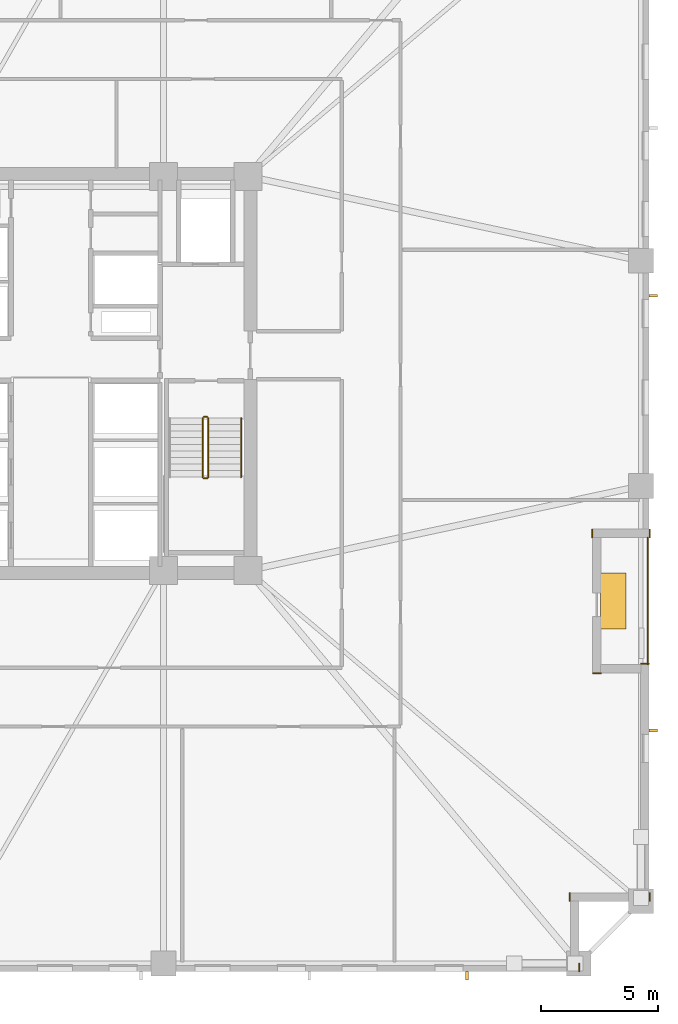
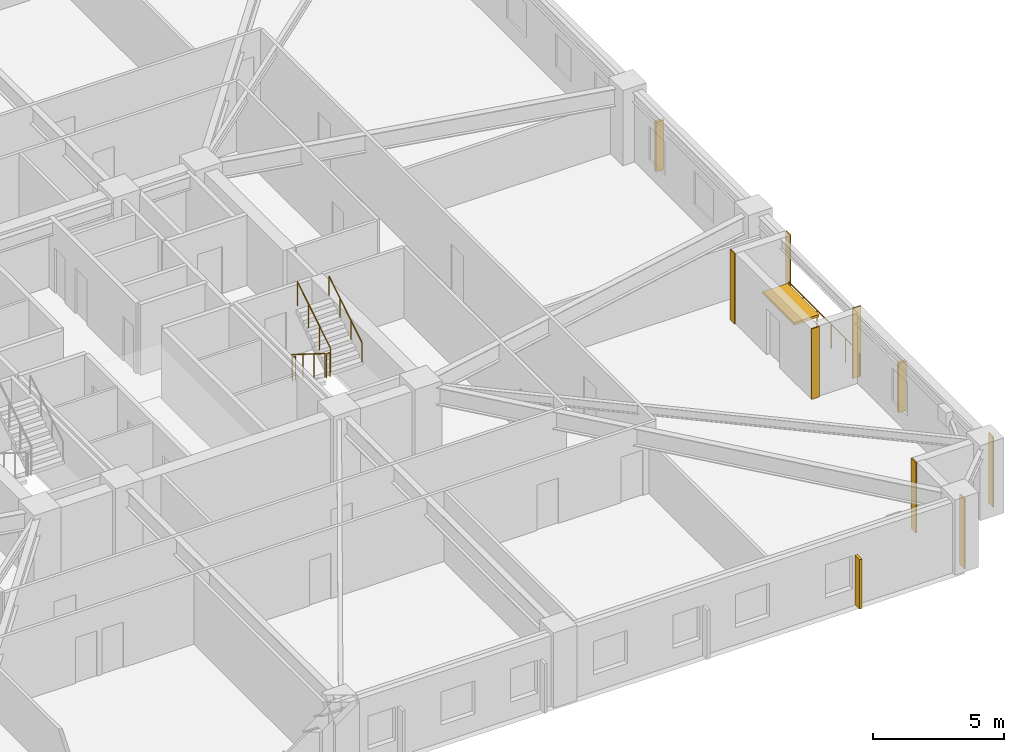
# One storey, part 9 of 11: 7 coverings, 6 railings, 4 shading devices.
"""IFC4 building model written with IfcOpenShell, lengths in metres."""

from ifc_helpers import new_model, si_unit, direction, frame, frame_2d, origin, origin_2d, place, context, subcontext, project, spatial, rectangle, circle, extrude, material, layer, layer_set, type_object, element, save


model = new_model("IFC4")

# Units and contexts
model_context = context("Model", 3, precision=1e-05, world=origin(), true_north=direction((0.0, 1.0)))
body_context = subcontext(model_context, "Body", "Model", "MODEL_VIEW")
ifc_project = project(units=[si_unit("LENGTHUNIT", "METRE"), si_unit("AREAUNIT", "SQUARE_METRE"), si_unit("VOLUMEUNIT", "CUBIC_METRE"), si_unit("PLANEANGLEUNIT", "RADIAN"), si_unit("MASSUNIT", "GRAM", prefix="KILO")], contexts=[model_context])

# Site, building, storey
site_placement = place(None, origin())
site = spatial("IfcSite", under=ifc_project, at=site_placement, CompositionType="ELEMENT")
building_placement = place(site_placement, origin())
building = spatial("IfcBuilding", under=site, at=building_placement, Name="Cairnveth Concourse Tower", CompositionType="ELEMENT")
storey_placement = place(building_placement, frame((0.0, 0.0, 55.0)))
storey = spatial("IfcBuildingStorey", under=building, at=storey_placement, Name="L14", CompositionType="ELEMENT", Elevation=55.0)

# Coverings
ifc_material_1 = material(Name="Dressed Melbourne Bluestone Cladding", Category="masonry")
ifc_layer = layer(ifc_material_1, 0.050048828125)
ifc_layer_set = layer_set([ifc_layer], Name="Dressed Melbourne Bluestone Cladding")
covering_type = type_object("IfcCoveringType", Name="DRESSED BLUESTONE PLINTH CLADDING 50", PredefinedType="CLADDING", material=ifc_layer_set)
for number, where, z_axis, x_axis, name in (
    (1, (77.139892578125, 26.6201171875, 0.0), (0.0, 0.0, 1.0), (1.0, 0.0, 0.0), "Melbourne Bluestone Corner Quoin L14-167"),
    (2, (77.52001953125, 16.860107421875, 0.0), (0.0, 0.0, 1.0), (0.0, -1.0, 0.0), "Melbourne Bluestone Corner Quoin L14-168"),
    (3, (74.1201171875, 16.860107421875, 0.0), (0.0, 0.0, 1.0), (0.0, -1.0, 0.0), "Melbourne Bluestone Corner Quoin L14-169"),
    (4, (74.52001953125, 13.860107421875, 0.0), (0.0, 0.0, 1.0), (0.0, -1.0, 0.0), "Melbourne Bluestone Corner Quoin L14-170"),
    (5, (77.52001953125, 32.360107421875, 0.0), (0.0, 0.0, 1.0), (0.0, -1.0, 0.0), "Melbourne Bluestone Corner Quoin L14-180"),
    (6, (75.070068359375, 32.360107421875, 0.0), (0.0, 0.0, 1.0), (0.0, -1.0, 0.0), "Melbourne Bluestone Corner Quoin L14-181"),
):
    element("IfcCovering", number, at=place(storey_placement, frame(where, z_axis=z_axis, x_axis=x_axis)), inside=storey, type_object=covering_type, Name=name, PredefinedType="CLADDING", context=body_context, shape_type="SweptSolid", body=[
        extrude(rectangle(XDim=0.360107421875, YDim=0.050048828125, at=frame_2d((0.18017578125, 0.0))), origin(), (0.0, 0.0, 1.0), 3.280029296875),
    ])
covering_placement = place(storey_placement, frame((75.090087890625, 26.219970703125, 0.0), z_axis=(0.0, 0.0, 1.0), x_axis=(1.0, 0.0, 0.0)))
element("IfcCovering", 7, at=covering_placement, inside=storey, type_object=covering_type, Name="Melbourne Bluestone Corner Quoin L14-182", PredefinedType="CLADDING", context=body_context, shape_type="SweptSolid", body=[
    extrude(rectangle(XDim=0.35986328125, YDim=0.050048828125, at=frame_2d((0.179931640625, 0.0))), origin(), (0.0, 0.0, 1.0), 3.280029296875),
])

# Shading devices
ifc_material_2 = material(Name="Architectural Bronze Anodised Aluminium 6063-T6", Category="aluminium")
shading_device_type_1 = type_object("IfcShadingDeviceType", Name="GOTHIC BRONZE VERTICAL LANCET FIN", PredefinedType="USERDEFINED", material=ifc_material_2)
for number, where, z_axis, x_axis, name in (
    (8, (77.675048828125, 23.779052734375, 0.02978515625), (0.0, 0.0, 1.0), (0.0, 1.0, 0.0), "Gothic Bronze Vertical Fin L14-0-1"),
    (9, (69.72998046875, 13.324951171875, 0.02978515625), (0.0, 0.0, 1.0), (1.0, 0.0, 0.0), "Gothic Bronze Vertical Fin L14-3-1"),
    (10, (77.675048828125, 42.3134765625, 0.02978515625), (0.0, 0.0, 1.0), (0.0, 1.0, 0.0), "Gothic Bronze Vertical Fin L14-12-5"),
):
    element("IfcShadingDevice", number, at=place(storey_placement, frame(where, z_axis=z_axis, x_axis=x_axis)), inside=storey, type_object=shading_device_type_1, Name=name, ObjectType="VERTICAL FIN", PredefinedType="USERDEFINED", context=body_context, shape_type="SweptSolid", body=[
        extrude(rectangle(XDim=0.1201171875, YDim=0.360107421875, at=origin_2d()), origin(), (0.0, 0.0, 1.0), 2.303955078125),
    ])
shading_device_type_2 = type_object("IfcShadingDeviceType", Name="SPIRAL TERRACE SUNSHADE CANOPY", PredefinedType="USERDEFINED", material=ifc_material_2)
shading_device_placement = place(storey_placement, frame((75.969970703125, 29.300048828125, 2.183837890625), z_axis=(0.0, 0.0, 1.0), x_axis=(1.0, 0.0, 0.0)))
element("IfcShadingDevice", 11, at=shading_device_placement, inside=storey, type_object=shading_device_type_2, Name="Spiral Terrace Sunshade L14", ObjectType="TERRACE SUNSHADE", PredefinedType="USERDEFINED", context=body_context, shape_type="SweptSolid", body=[
    extrude(rectangle(XDim=1.10009765625, YDim=2.39990234375, at=origin_2d()), origin(), (0.0, 0.0, 1.0), 0.1201171875),
])

# Railings
ifc_material_3 = material(Name="Steel Grade 350", Category="steel")
railing_type_1 = type_object("IfcRailingType", Name="STAIR GUARDRAIL 1150", PredefinedType="GUARDRAIL", material=ifc_material_3)
railing_1_placement = place(storey_placement, frame((58.469970703125, 37.10009765625, 0.175048828125)))
element("IfcRailing", 12, at=railing_1_placement, inside=storey, type_object=railing_type_1, Name="L14 ST-2 stair guard 1", PredefinedType="GUARDRAIL", context=body_context, shape_type="SweptSolid", body=[
    extrude(circle(Radius=0.02392578125, at=origin_2d()), frame((0.0, 0.0, 1.1259765625), z_axis=(0.0, -0.848007534815, 0.529984170421), x_axis=(1.0, 0.0, 0.0)), (0.0, 0.0, 1.0), 2.9716796875),
    extrude(circle(Radius=0.02099609375, at=origin_2d()), origin(), (0.0, 0.0, 1.0), 1.101806640625),
    extrude(circle(Radius=0.02099609375, at=origin_2d()), frame((0.0, -0.840087890625, 0.52490234375)), (0.0, 0.0, 1.0), 1.101806640625),
    extrude(circle(Radius=0.02099609375, at=origin_2d()), frame((0.0, -1.679931640625, 1.050048828125)), (0.0, 0.0, 1.0), 1.101806640625),
    extrude(circle(Radius=0.02099609375, at=origin_2d()), frame((0.0, -2.52001953125, 1.574951171875)), (0.0, 0.0, 1.0), 1.101806640625),
])
railing_2_placement = place(storey_placement, frame((58.52001953125, 34.530029296875, 1.75)))
element("IfcRailing", 13, at=railing_2_placement, inside=storey, type_object=railing_type_1, Name="L14 ST-2 stair guard 2", PredefinedType="GUARDRAIL", context=body_context, shape_type="SweptSolid", body=[
    extrude(circle(Radius=0.02392578125, at=origin_2d()), frame((0.0, 0.0, 1.1259765625), z_axis=(1.0, 0.0, 0.0), x_axis=(0.0, 1.0, 0.0)), (0.0, 0.0, 1.0), 0.139892578125),
    extrude(circle(Radius=0.02099609375, at=origin_2d()), origin(), (0.0, 0.0, 1.0), 1.101806640625),
    extrude(circle(Radius=0.02099609375, at=origin_2d()), frame((0.139892578125, 0.0, 0.0)), (0.0, 0.0, 1.0), 1.101806640625),
])
railing_3_placement = place(storey_placement, frame((58.7099609375, 34.580078125, 1.925048828125)))
element("IfcRailing", 14, at=railing_3_placement, inside=storey, type_object=railing_type_1, Name="L14 ST-2 stair guard 3", PredefinedType="GUARDRAIL", context=body_context, shape_type="SweptSolid", body=[
    extrude(circle(Radius=0.02392578125, at=origin_2d()), frame((0.0, 0.0, 1.1259765625), z_axis=(0.0, 0.848007534815, 0.529984170421), x_axis=(-1.0, 0.0, 0.0)), (0.0, 0.0, 1.0), 2.9716796875),
    extrude(circle(Radius=0.02099609375, at=origin_2d()), origin(), (0.0, 0.0, 1.0), 1.101806640625),
    extrude(circle(Radius=0.02099609375, at=origin_2d()), frame((0.0, 0.840087890625, 0.52490234375)), (0.0, 0.0, 1.0), 1.101806640625),
    extrude(circle(Radius=0.02099609375, at=origin_2d()), frame((0.0, 1.679931640625, 1.050048828125)), (0.0, 0.0, 1.0), 1.101806640625),
    extrude(circle(Radius=0.02099609375, at=origin_2d()), frame((0.0, 2.52001953125, 1.574951171875)), (0.0, 0.0, 1.0), 1.101806640625),
])
railing_4_placement = place(storey_placement, frame((58.52001953125, 37.14990234375, 0.0)))
element("IfcRailing", 15, at=railing_4_placement, inside=storey, type_object=railing_type_1, Name="L14 ST-2 stair guard 4", PredefinedType="GUARDRAIL", context=body_context, shape_type="SweptSolid", body=[
    extrude(circle(Radius=0.02392578125, at=origin_2d()), frame((0.0, 0.0, 1.1259765625), z_axis=(1.0, 0.0, 0.0), x_axis=(0.0, 1.0, 0.0)), (0.0, 0.0, 1.0), 0.139892578125),
    extrude(circle(Radius=0.02099609375, at=origin_2d()), origin(), (0.0, 0.0, 1.0), 1.101806640625),
    extrude(circle(Radius=0.02099609375, at=origin_2d()), frame((0.139892578125, 0.0, 0.0)), (0.0, 0.0, 1.0), 1.101806640625),
])
railing_type_2 = type_object("IfcRailingType", Name="STAIR WALL HANDRAIL 900", PredefinedType="HANDRAIL", material=ifc_material_3)
railing_5_placement = place(storey_placement, frame((60.110107421875, 34.580078125, 1.925048828125)))
element("IfcRailing", 16, at=railing_5_placement, inside=storey, type_object=railing_type_2, Name="L14 ST-2 stair handrail 2", PredefinedType="HANDRAIL", context=body_context, shape_type="SweptSolid", body=[
    extrude(circle(Radius=0.02392578125, at=origin_2d()), frame((0.0, 0.0, 0.8759765625), z_axis=(0.0, 0.848007534815, 0.529984170421), x_axis=(-1.0, 0.0, 0.0)), (0.0, 0.0, 1.0), 2.9716796875),
    extrude(circle(Radius=0.02099609375, at=origin_2d()), origin(), (0.0, 0.0, 1.0), 0.851806640625),
    extrude(circle(Radius=0.02099609375, at=origin_2d()), frame((0.0, 0.840087890625, 0.52490234375)), (0.0, 0.0, 1.0), 0.851806640625),
    extrude(circle(Radius=0.02099609375, at=origin_2d()), frame((0.0, 1.679931640625, 1.050048828125)), (0.0, 0.0, 1.0), 0.851806640625),
    extrude(circle(Radius=0.02099609375, at=origin_2d()), frame((0.0, 2.52001953125, 1.574951171875)), (0.0, 0.0, 1.0), 0.851806640625),
])
railing_type_3 = type_object("IfcRailingType", Name="TERRACE BRONZE BALUSTRADE 1150", PredefinedType="BALUSTRADE", material=ifc_material_2)
railing_6_placement = place(storey_placement, frame((77.43994140625, 26.60009765625, 0.0)))
element("IfcRailing", 17, at=railing_6_placement, inside=storey, type_object=railing_type_3, Name="Terrace Balustrade RL-L14-TERR", PredefinedType="BALUSTRADE", context=body_context, shape_type="SweptSolid", body=[
    extrude(circle(Radius=0.02490234375, at=origin_2d()), frame((0.0, 0.0, 1.125), z_axis=(0.0, 1.0, 0.0), x_axis=(-1.0, 0.0, 0.0)), (0.0, 0.0, 1.0), 5.39990234375),
    extrude(circle(Radius=0.02099609375, at=origin_2d()), origin(), (0.0, 0.0, 1.0), 1.099853515625),
    extrude(circle(Radius=0.02099609375, at=origin_2d()), frame((0.0, 1.080078125, 0.0)), (0.0, 0.0, 1.0), 1.099853515625),
    extrude(circle(Radius=0.02099609375, at=origin_2d()), frame((0.0, 2.159912109375, 0.0)), (0.0, 0.0, 1.0), 1.099853515625),
    extrude(circle(Radius=0.02099609375, at=origin_2d()), frame((0.0, 3.239990234375, 0.0)), (0.0, 0.0, 1.0), 1.099853515625),
    extrude(circle(Radius=0.02099609375, at=origin_2d()), frame((0.0, 4.31982421875, 0.0)), (0.0, 0.0, 1.0), 1.099853515625),
    extrude(circle(Radius=0.02099609375, at=origin_2d()), frame((0.0, 5.39990234375, 0.0)), (0.0, 0.0, 1.0), 1.099853515625),
])

save(model, "model.ifc")
